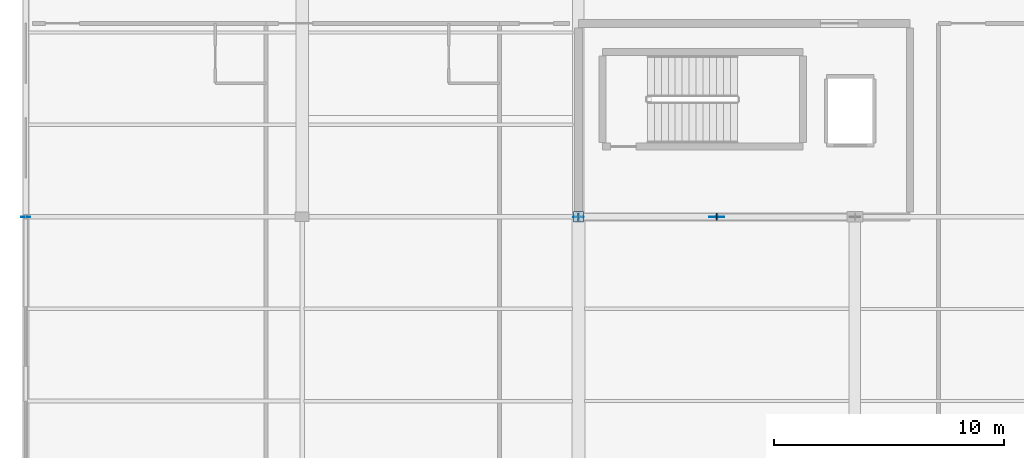
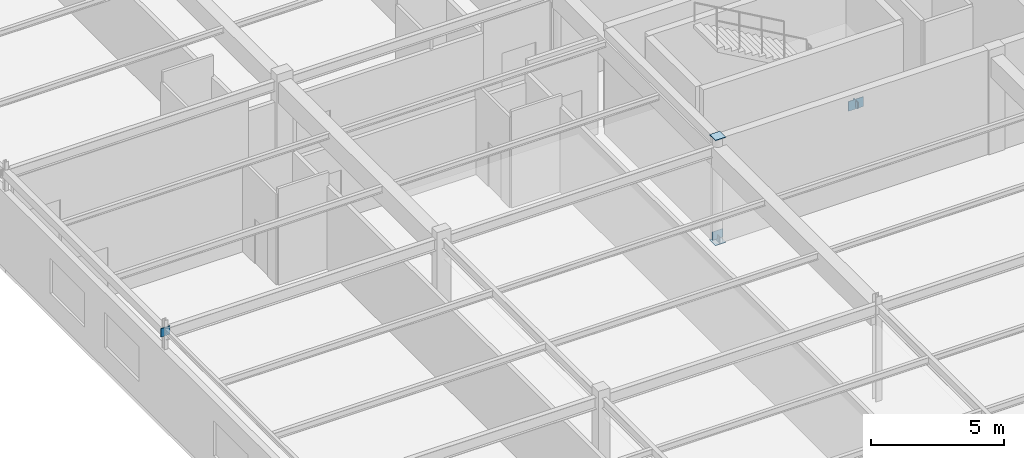
# One storey, part 165 of 226: 8 plates.
"""IFC4 building model written with IfcOpenShell, lengths in metres."""

from ifc_helpers import new_model, si_unit, direction, frame, origin, origin_2d, place, context, subcontext, project, spatial, rectangle, extrude, material, layer, layer_set, type_object, element, save


model = new_model("IFC4")

# Units and contexts
model_context = context("Model", 3, precision=1e-05, world=origin(), true_north=direction((0.0, 1.0)))
body_context = subcontext(model_context, "Body", "Model", "MODEL_VIEW")
ifc_project = project(units=[si_unit("LENGTHUNIT", "METRE"), si_unit("AREAUNIT", "SQUARE_METRE"), si_unit("VOLUMEUNIT", "CUBIC_METRE"), si_unit("PLANEANGLEUNIT", "RADIAN"), si_unit("MASSUNIT", "GRAM", prefix="KILO")], contexts=[model_context])

# Site, building, storey
site_placement = place(None, origin())
site = spatial("IfcSite", under=ifc_project, at=site_placement, CompositionType="ELEMENT")
building_placement = place(site_placement, origin())
building = spatial("IfcBuilding", under=site, at=building_placement, Name="Tarnwether General Hospital", CompositionType="ELEMENT")
storey_placement = place(building_placement, frame((0.0, 0.0, 4.800048828125)))
storey = spatial("IfcBuildingStorey", under=building, at=storey_placement, Name="L01", CompositionType="ELEMENT", Elevation=4.800048828125)

# Plates
ifc_material_1 = material(Name="Steel Grade 350 (350 MPa)", Category="steel")
ifc_layer_1 = layer(ifc_material_1, 0.02001953125)
ifc_layer_set_1 = layer_set([ifc_layer_1], Name="Steel Grade 350 (350 MPa)")
plate_type_1 = type_object("IfcPlateType", Name="PT-GUS1", PredefinedType="USERDEFINED", material=ifc_layer_set_1)
plate_1_placement = place(storey_placement, frame((30.0, 69.60009765625, 3.96484375), z_axis=(0.0, 0.0, 1.0), x_axis=(1.0, 0.0, 0.0)))
element("IfcPlate", 1, at=plate_1_placement, inside=storey, type_object=plate_type_1, Name="Chevron Brace Apex Gusset Plate 022", ObjectType="GUSSET", PredefinedType="USERDEFINED", context=body_context, shape_type="SweptSolid", body=[
    extrude(rectangle(XDim=0.64990234375, YDim=0.02001953125, at=origin_2d()), origin(), (0.0, 0.0, 1.0), 0.449951171875),
])
ifc_material_2 = material(Name="Steel Grade 350 (350 MPa)", Category="steel")
ifc_layer_2 = layer(ifc_material_2, 0.02490234375)
ifc_layer_set_2 = layer_set([ifc_layer_2], Name="Steel Grade 350 (350 MPa)")
plate_type_2 = type_object("IfcPlateType", Name="PT-GUS2", PredefinedType="USERDEFINED", material=ifc_layer_set_2)
plate_2_placement = place(storey_placement, frame((24.0, 69.60009765625, 0.110107421875), z_axis=(0.0, 0.0, 1.0), x_axis=(1.0, 0.0, 0.0)))
element("IfcPlate", 2, at=plate_2_placement, inside=storey, type_object=plate_type_2, Name="Brace Base Gusset Plate 020", ObjectType="GUSSET", PredefinedType="USERDEFINED", context=body_context, shape_type="SweptSolid", body=[
    extrude(rectangle(XDim=0.4599609375, YDim=0.02490234375, at=origin_2d()), origin(), (0.0, 0.0, 1.0), 0.3798828125),
])
for number, where, z_axis, x_axis, name in (
    (3, (24.0, 69.60009765625, -0.02490234375), (0.0, 0.0, 1.0), (1.0, 0.0, 0.0), "Hollow Section Welded End Cap Plate 0043"),
    (4, (24.0, 69.60009765625, 4.800048828125), (0.0, 0.0, 1.0), (1.0, 0.0, 0.0), "Hollow Section Welded End Cap Plate 0044"),
):
    element("IfcPlate", number, at=place(storey_placement, frame(where, z_axis=z_axis, x_axis=x_axis)), inside=storey, type_object=plate_type_2, Name=name, ObjectType="GUSSET", PredefinedType="USERDEFINED", context=body_context, shape_type="SweptSolid", body=[
        extrude(rectangle(XDim=0.446044921875, YDim=0.446044921875, at=origin_2d()), origin(), (0.0, 0.0, 1.0), 0.02490234375),
    ])
plate_3_placement = place(storey_placement, frame((0.0, 69.58740234375, 4.06005859375), z_axis=(0.0, 0.0, 1.0), x_axis=(0.0, 1.0, 0.0)))
element("IfcPlate", 5, at=plate_3_placement, inside=storey, type_object=plate_type_2, Name="Hollow Section Welded End Cap Plate 0907", ObjectType="GUSSET", PredefinedType="USERDEFINED", context=body_context, shape_type="SweptSolid", body=[
    extrude(rectangle(XDim=0.02490234375, YDim=0.389892578125, at=origin_2d()), origin(), (0.0, 0.0, 1.0), 0.389892578125),
])
for number, where, z_axis, x_axis, name in (
    (6, (23.989501953125, 69.60009765625, -0.0234375), (0.0, 0.0, 1.0), (1.0, 0.0, 0.0), "Hollow Section Welded End Cap Plate 1203"),
    (7, (30.010498046875, 69.60009765625, 4.04052734375), (0.0, 0.0, 1.0), (1.0, 0.0, 0.0), "Hollow Section Welded End Cap Plate 1204"),
    (8, (29.989501953125, 69.60009765625, 4.04052734375), (0.0, 0.0, 1.0), (-1.0, 0.0, 0.0), "Hollow Section Welded End Cap Plate 1206"),
):
    element("IfcPlate", number, at=place(storey_placement, frame(where, z_axis=z_axis, x_axis=x_axis)), inside=storey, type_object=plate_type_2, Name=name, ObjectType="GUSSET", PredefinedType="USERDEFINED", context=body_context, shape_type="SweptSolid", body=[
        extrude(rectangle(XDim=0.02490234375, YDim=0.31298828125, at=origin_2d()), origin(), (0.0, 0.0, 1.0), 0.31298828125),
    ])

save(model, "model.ifc")
